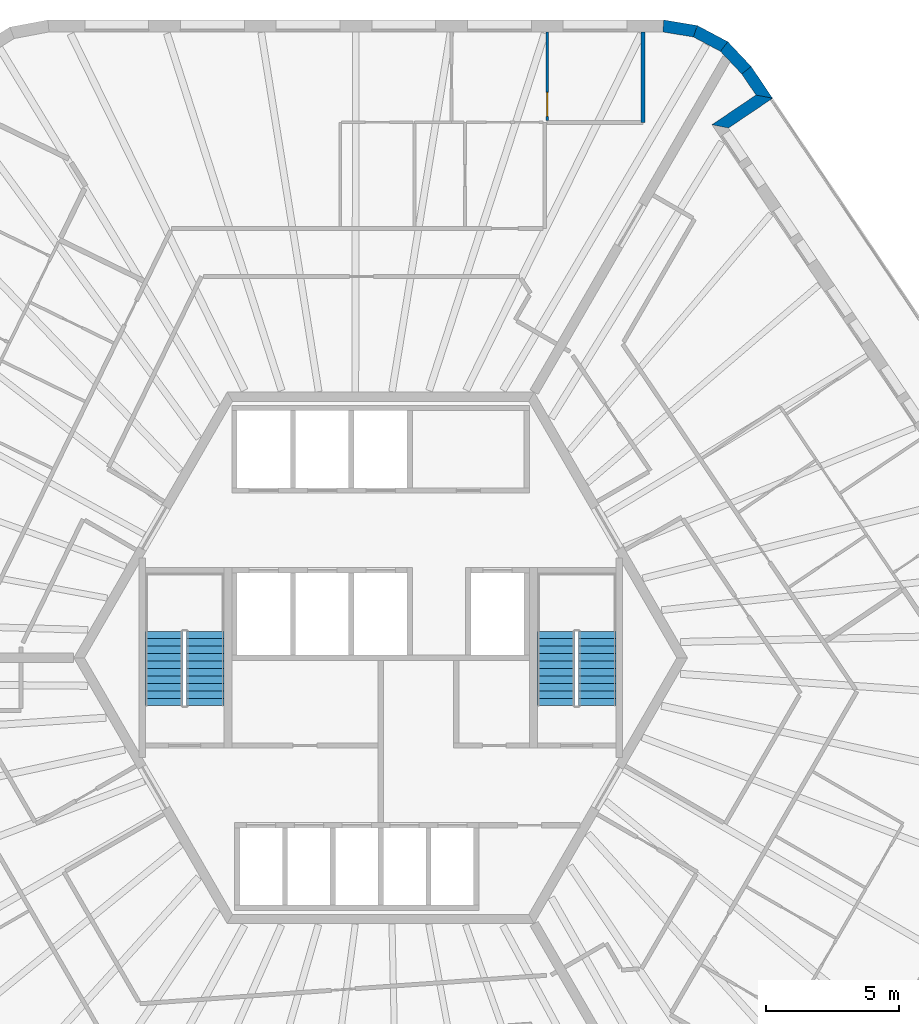
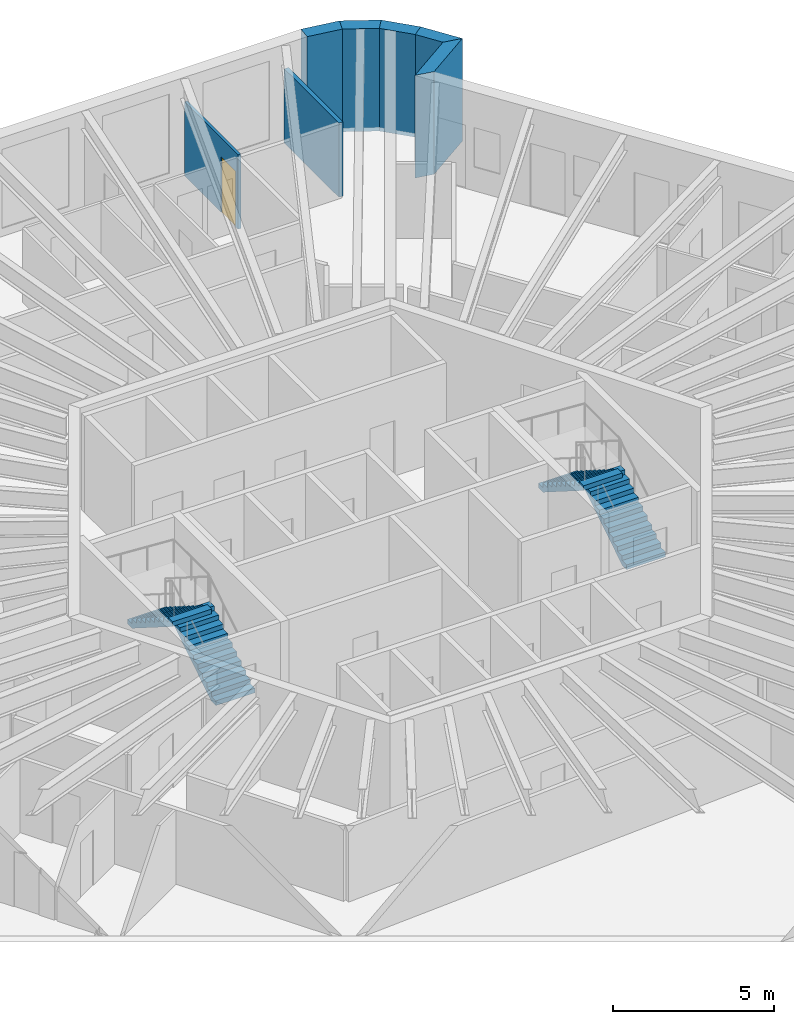
# One storey, part 10 of 11: 7 walls, 4 stair flights, 1 door, 1 opening, 2 elements without a shape of their own.
"""IFC4 building model written with IfcOpenShell, lengths in metres."""

from ifc_helpers import new_model, si_unit, direction, frame, frame_2d, origin, place, context, subcontext, project, spatial, polyline, rectangle, outline, extrude, material, layer, layer_set, type_object, element, fill, aggregate, save


model = new_model("IFC4")

# Units and contexts
model_context = context("Model", 3, precision=1e-05, world=origin(), true_north=direction((0.0, 1.0)))
body_context = subcontext(model_context, "Body", "Model", "MODEL_VIEW")
ifc_project = project(units=[si_unit("LENGTHUNIT", "METRE"), si_unit("AREAUNIT", "SQUARE_METRE"), si_unit("VOLUMEUNIT", "CUBIC_METRE"), si_unit("PLANEANGLEUNIT", "RADIAN"), si_unit("MASSUNIT", "GRAM", prefix="KILO")], contexts=[model_context])

# Site, building, storey
site_placement = place(None, origin())
site = spatial("IfcSite", under=ifc_project, at=site_placement, CompositionType="ELEMENT")
building_placement = place(site_placement, origin())
building = spatial("IfcBuilding", under=site, at=building_placement, Name="Tarnside Tower", CompositionType="ELEMENT")
storey_placement = place(building_placement, frame((0.0, 0.0, 353.39990234375)))
storey = spatial("IfcBuildingStorey", under=building, at=storey_placement, Name="L85", CompositionType="ELEMENT", Elevation=353.39990234375)

# Walls
ifc_material_1 = material(Name="Gypsum board partition on steel studs", Category="steel")
ifc_layer_1 = layer(ifc_material_1, 0.14990234375)
ifc_layer_set_1 = layer_set([ifc_layer_1], Name="Corridor wall 150 EI 60")
wall_type_1 = type_object("IfcWallType", Name="Corridor wall 150 EI 60", PredefinedType="PARTITIONING", material=ifc_layer_set_1)
wall_1_placement = place(storey_placement, frame((9.868408203125, 23.550048828125, 0.0), z_axis=(0.0, 0.0, 1.0), x_axis=(0.0, -1.0, 0.0)))
element("IfcWall", 1, at=wall_1_placement, inside=storey, type_object=wall_type_1, Name="Corridor wall 27007", PredefinedType="PARTITIONING", context=body_context, shape_type="SweptSolid", body=[
    extrude(rectangle(XDim=3.398681640625, YDim=0.14990234375, at=frame_2d((1.69921875, 0.0))), origin(), (0.0, 0.0, 1.0), 2.820068359375),
])
ifc_material_2 = material(Name="Dark zinc cladding")
ifc_layer_2 = layer(ifc_material_2, 0.10205078125)
ifc_material_3 = material(Name="Concrete C60/75 precast", Category="concrete")
ifc_layer_3 = layer(ifc_material_3, 0.248046875)
ifc_material_4 = material(Name="Mineral wool insulation")
ifc_layer_4 = layer(ifc_material_4, 0.10009765625)
ifc_layer_set_2 = layer_set([ifc_layer_2, ifc_layer_3, ifc_layer_4], Name="Loggia wall 450 zinc faced")
wall_type_2 = type_object("IfcWallType", Name="Loggia wall 450 zinc faced", PredefinedType="SOLIDWALL", material=ifc_layer_set_2)
wall_2_placement = place(storey_placement, frame((12.77685546875, 19.997802734375, -0.14990234375), z_axis=(0.0, 0.0, 1.0), x_axis=(0.829014217969, 0.559227526508, 0.0)))
element("IfcWall", 2, at=wall_2_placement, inside=storey, type_object=wall_type_2, Name="Tube wall L85 F6 return 31", PredefinedType="SOLIDWALL", context=body_context, shape_type="SweptSolid", body=[
    extrude(outline(polyline([(0.224853515625, -0.22509765625), (2.22509765625, -0.22509765625), (1.77490234375, 0.22509765625), (-0.224853515625, 0.22509765625), (0.224853515625, -0.22509765625)])), origin(), (0.0, 0.0, 1.0), 3.89990234375),
])
wall_3_placement = place(storey_placement, frame((14.434814453125, 21.1162109375, -0.14990234375), z_axis=(0.0, 0.0, 1.0), x_axis=(-0.559200218553, 0.829032638423, 0.0)))
element("IfcWall", 3, at=wall_3_placement, inside=storey, type_object=wall_type_2, Name="Tube wall L85 F6 stub 32", PredefinedType="SOLIDWALL", context=body_context, shape_type="SweptSolid", body=[
    extrude(outline(polyline([(-0.224853515625, -0.22509765625), (1.218017578125, -0.22509765625), (1.181396484375, 0.22509765625), (0.224853515625, 0.22509765625), (-0.224853515625, -0.22509765625)])), origin(), (0.0, 0.0, 1.0), 3.89990234375),
])

# Wall, opening, door
ifc_layer_5 = layer(ifc_material_1, 0.10009765625)
ifc_layer_set_3 = layer_set([ifc_layer_5], Name="Partition 100")
wall_type_3 = type_object("IfcWallType", Name="Partition 100", PredefinedType="PARTITIONING", material=ifc_layer_set_3)
wall_4_placement = place(storey_placement, frame((6.268310546875, 23.550048828125, 0.0), z_axis=(0.0, 0.0, 1.0), x_axis=(0.0, -1.0, 0.0)))
wall_4 = element("IfcWall", 4, at=wall_4_placement, inside=storey, type_object=wall_type_3, Name="Partition wall 27082", PredefinedType="PARTITIONING", context=body_context, shape_type="SweptSolid", body=[
    extrude(rectangle(XDim=3.324951171875, YDim=0.10009765625, at=frame_2d((1.66259765625, 0.0))), origin(), (0.0, 0.0, 1.0), 2.820068359375),
])
opening_placement = place(wall_4_placement, frame((2.27490234375, 0.0, 0.0)))
opening = element("IfcOpeningElement", 5, at=opening_placement, cuts=wall_4, Name="Opening D-I1", PredefinedType="OPENING", context=body_context, shape_type="SweptSolid", body=[
    extrude(rectangle(XDim=0.89990234375, YDim=2.10009765625, at=frame_2d((0.449951171875, 1.050048828125))), frame((0.0, 0.06005859375, 0.0), z_axis=(0.0, -1.0, 0.0), x_axis=(1.0, 0.0, 0.0)), (0.0, 0.0, 1.0), 0.1201171875),
])
ifc_material_5 = material(Name="Timber door leaf", Category="wood")
door_type = type_object("IfcDoorType", Name="Internal door 900", OperationType="NOTDEFINED", PredefinedType="DOOR", material=ifc_material_5)
door_placement = place(opening_placement, origin())
door = element("IfcDoor", 6, at=door_placement, inside=storey, type_object=door_type, Name="Internal door 27008", OperationType="SINGLE_SWING_RIGHT", OverallHeight=2.10009765625, OverallWidth=0.89990234375, PredefinedType="DOOR", context=body_context, shape_type="SweptSolid", body=[
    extrude(rectangle(XDim=0.89990234375, YDim=2.10009765625, at=frame_2d((0.449951171875, 1.050048828125))), frame((0.0, 0.02490234375, 0.0), z_axis=(0.0, -1.0, 0.0), x_axis=(1.0, 0.0, 0.0)), (0.0, 0.0, 1.0), 0.050048828125),
])
fill(opening, door)

# Walls
ifc_material_6 = material(Name="Facing brick", Category="masonry")
ifc_layer_6 = layer(ifc_material_6, 0.10205078125)
ifc_layer_7 = layer(ifc_material_3, 0.248046875)
ifc_layer_8 = layer(ifc_material_4, 0.10009765625)
ifc_layer_set_4 = layer_set([ifc_layer_6, ifc_layer_7, ifc_layer_8], Name="Tube wall 450 brick faced")
wall_type_4 = type_object("IfcWallType", Name="Tube wall 450 brick faced", PredefinedType="SOLIDWALL", material=ifc_layer_set_4)
wall_5_placement = place(storey_placement, frame((13.763916015625, 22.11083984375, -0.14990234375), z_axis=(0.0, 0.0, 1.0), x_axis=(-0.686272176549, 0.727344828603, 0.0)))
element("IfcWall", 7, at=wall_5_placement, inside=storey, type_object=wall_type_4, Name="Tube wall L85 F6 chord 33", PredefinedType="SOLIDWALL", context=body_context, shape_type="SweptSolid", body=[
    extrude(outline(polyline([(-0.018310546875, -0.22509765625), (1.261474609375, -0.22509765625), (1.187744140625, 0.22509765625), (0.018310546875, 0.22509765625), (-0.018310546875, -0.22509765625)])), origin(), (0.0, 0.0, 1.0), 3.89990234375),
])
wall_6_placement = place(storey_placement, frame((12.923583984375, 23.00146484375, -0.14990234375), z_axis=(0.0, 0.0, 1.0), x_axis=(-0.882898771447, 0.469563370993, 0.0)))
element("IfcWall", 8, at=wall_6_placement, inside=storey, type_object=wall_type_4, Name="Tube wall L85 F6 chord 34", PredefinedType="SOLIDWALL", context=body_context, shape_type="SweptSolid", body=[
    extrude(outline(polyline([(-0.036865234375, -0.22509765625), (1.26123046875, -0.22509765625), (1.1875, 0.22509765625), (0.036865234375, 0.22509765625), (-0.036865234375, -0.22509765625)])), origin(), (0.0, 0.0, 1.0), 3.89990234375),
])
wall_7_placement = place(storey_placement, frame((11.842529296875, 23.576416015625, -0.14990234375), z_axis=(0.0, 0.0, 1.0), x_axis=(-0.986773862881, 0.162102879475, 0.0)))
element("IfcWall", 9, at=wall_7_placement, inside=storey, type_object=wall_type_4, Name="Tube wall L85 F6 chord 35", PredefinedType="SOLIDWALL", context=body_context, shape_type="SweptSolid", body=[
    extrude(outline(polyline([(-0.036865234375, -0.22509765625), (1.24267578125, -0.22509765625), (1.2060546875, 0.22509765625), (0.036865234375, 0.22509765625), (-0.036865234375, -0.22509765625)])), origin(), (0.0, 0.0, 1.0), 3.89990234375),
])

# Stair, stair flights
ifc_material_7 = material(Name="Concrete C40/50", Category="concrete")
stair_type = type_object("IfcStairType", Name="Exit stair 1400 clear", PredefinedType="HALF_TURN_STAIR", material=ifc_material_7)
stair_1_placement = place(storey_placement, origin())
stair_1 = element("IfcStair", 10, at=stair_1_placement, inside=storey, type_object=stair_type, Name="L85 Exit stair 1", PredefinedType="HALF_TURN_STAIR")
stair_flight_type = type_object("IfcStairFlightType", Name="Exit stair flight 1400", PredefinedType="STRAIGHT", material=ifc_material_7)
stair_flight_1_placement = place(storey_placement, frame((8.14990234375, -1.800048828125, 0.0), z_axis=(0.0, 0.0, 1.0), x_axis=(0.0, 1.0, 0.0)))
stair_flight_1 = element("IfcStairFlight", 11, at=stair_flight_1_placement, type_object=stair_flight_type, Name="ST1 flight 1", NumberOfRisers=11, NumberOfTreads=10, PredefinedType="STRAIGHT", RiserHeight=0.177272727, TreadLength=0.28, context=body_context, shape_type="SweptSolid", body=[
    extrude(outline(polyline([(0.0, 0.0), (0.0, 0.17724609375), (0.280029296875, 0.17724609375), (0.280029296875, 0.3544921875), (0.56005859375, 0.3544921875), (0.56005859375, 0.53173828125), (0.840087890625, 0.53173828125), (0.840087890625, 0.708984375), (1.1201171875, 0.708984375), (1.1201171875, 0.886474609375), (1.39990234375, 0.886474609375), (1.39990234375, 1.063720703125), (1.679931640625, 1.063720703125), (1.679931640625, 1.240966796875), (1.9599609375, 1.240966796875), (1.9599609375, 1.418212890625), (2.239990234375, 1.418212890625), (2.239990234375, 1.595458984375), (2.52001953125, 1.595458984375), (2.52001953125, 1.772705078125), (2.800048828125, 1.772705078125), (2.800048828125, 1.949951171875), (2.800048828125, 1.59521484375), (0.2802734375, 0.0), (0.0, 0.0)])), frame((0.0, 0.699951171875, 0.0), z_axis=(0.0, -1.0, 0.0), x_axis=(1.0, 0.0, 0.0)), (0.0, 0.0, 1.0), 1.39990234375),
])
stair_flight_2_placement = place(storey_placement, frame((6.60009765625, 1.0, 1.9501953125), z_axis=(0.0, 0.0, 1.0), x_axis=(0.0, -1.0, 0.0)))
stair_flight_2 = element("IfcStairFlight", 12, at=stair_flight_2_placement, type_object=stair_flight_type, Name="ST1 flight 2", NumberOfRisers=11, NumberOfTreads=10, PredefinedType="STRAIGHT", RiserHeight=0.177272727, TreadLength=0.28, context=body_context, shape_type="SweptSolid", body=[
    extrude(outline(polyline([(0.0, 0.0), (0.0, 0.17724609375), (0.280029296875, 0.17724609375), (0.280029296875, 0.3544921875), (0.56005859375, 0.3544921875), (0.56005859375, 0.53173828125), (0.840087890625, 0.53173828125), (0.840087890625, 0.708984375), (1.1201171875, 0.708984375), (1.1201171875, 0.886474609375), (1.39990234375, 0.886474609375), (1.39990234375, 1.063720703125), (1.679931640625, 1.063720703125), (1.679931640625, 1.240966796875), (1.9599609375, 1.240966796875), (1.9599609375, 1.418212890625), (2.239990234375, 1.418212890625), (2.239990234375, 1.595458984375), (2.52001953125, 1.595458984375), (2.52001953125, 1.772705078125), (2.800048828125, 1.772705078125), (2.800048828125, 1.949951171875), (2.800048828125, 1.59521484375), (0.2802734375, 0.0), (0.0, 0.0)])), frame((0.0, 0.699951171875, 0.0), z_axis=(0.0, -1.0, 0.0), x_axis=(1.0, 0.0, 0.0)), (0.0, 0.0, 1.0), 1.39990234375),
])
aggregate(stair_1, [stair_flight_1, stair_flight_2])

stair_2_placement = place(storey_placement, origin())
stair_2 = element("IfcStair", 13, at=stair_2_placement, inside=storey, type_object=stair_type, Name="L85 Exit stair 2", PredefinedType="HALF_TURN_STAIR")
stair_flight_3_placement = place(storey_placement, frame((-6.60009765625, -1.800048828125, 0.0), z_axis=(0.0, 0.0, 1.0), x_axis=(0.0, 1.0, 0.0)))
stair_flight_3 = element("IfcStairFlight", 14, at=stair_flight_3_placement, type_object=stair_flight_type, Name="ST2 flight 1", NumberOfRisers=11, NumberOfTreads=10, PredefinedType="STRAIGHT", RiserHeight=0.177272727, TreadLength=0.28, context=body_context, shape_type="SweptSolid", body=[
    extrude(outline(polyline([(0.0, 0.0), (0.0, 0.17724609375), (0.280029296875, 0.17724609375), (0.280029296875, 0.3544921875), (0.56005859375, 0.3544921875), (0.56005859375, 0.53173828125), (0.840087890625, 0.53173828125), (0.840087890625, 0.708984375), (1.1201171875, 0.708984375), (1.1201171875, 0.886474609375), (1.39990234375, 0.886474609375), (1.39990234375, 1.063720703125), (1.679931640625, 1.063720703125), (1.679931640625, 1.240966796875), (1.9599609375, 1.240966796875), (1.9599609375, 1.418212890625), (2.239990234375, 1.418212890625), (2.239990234375, 1.595458984375), (2.52001953125, 1.595458984375), (2.52001953125, 1.772705078125), (2.800048828125, 1.772705078125), (2.800048828125, 1.949951171875), (2.800048828125, 1.59521484375), (0.2802734375, 0.0), (0.0, 0.0)])), frame((0.0, 0.699951171875, 0.0), z_axis=(0.0, -1.0, 0.0), x_axis=(1.0, 0.0, 0.0)), (0.0, 0.0, 1.0), 1.39990234375),
])
stair_flight_4_placement = place(storey_placement, frame((-8.14990234375, 1.0, 1.9501953125), z_axis=(0.0, 0.0, 1.0), x_axis=(0.0, -1.0, 0.0)))
stair_flight_4 = element("IfcStairFlight", 15, at=stair_flight_4_placement, type_object=stair_flight_type, Name="ST2 flight 2", NumberOfRisers=11, NumberOfTreads=10, PredefinedType="STRAIGHT", RiserHeight=0.177272727, TreadLength=0.28, context=body_context, shape_type="SweptSolid", body=[
    extrude(outline(polyline([(0.0, 0.0), (0.0, 0.17724609375), (0.280029296875, 0.17724609375), (0.280029296875, 0.3544921875), (0.56005859375, 0.3544921875), (0.56005859375, 0.53173828125), (0.840087890625, 0.53173828125), (0.840087890625, 0.708984375), (1.1201171875, 0.708984375), (1.1201171875, 0.886474609375), (1.39990234375, 0.886474609375), (1.39990234375, 1.063720703125), (1.679931640625, 1.063720703125), (1.679931640625, 1.240966796875), (1.9599609375, 1.240966796875), (1.9599609375, 1.418212890625), (2.239990234375, 1.418212890625), (2.239990234375, 1.595458984375), (2.52001953125, 1.595458984375), (2.52001953125, 1.772705078125), (2.800048828125, 1.772705078125), (2.800048828125, 1.949951171875), (2.800048828125, 1.59521484375), (0.2802734375, 0.0), (0.0, 0.0)])), frame((0.0, 0.699951171875, 0.0), z_axis=(0.0, -1.0, 0.0), x_axis=(1.0, 0.0, 0.0)), (0.0, 0.0, 1.0), 1.39990234375),
])
aggregate(stair_2, [stair_flight_3, stair_flight_4])

save(model, "model.ifc")
